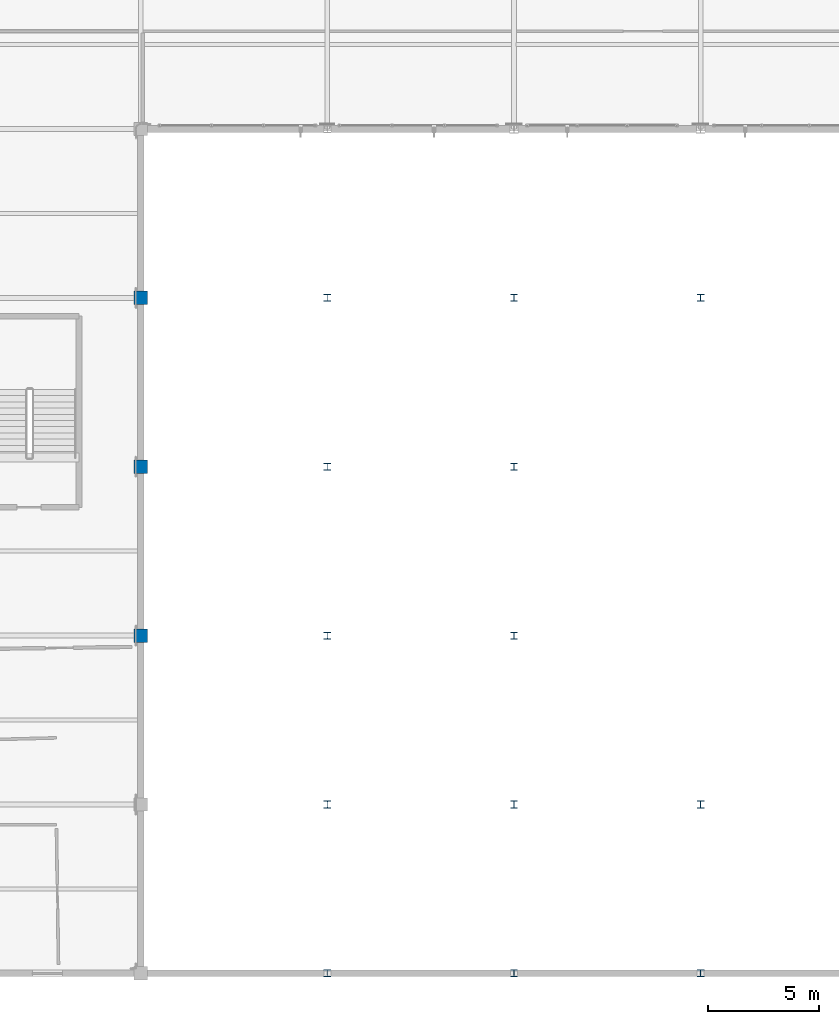
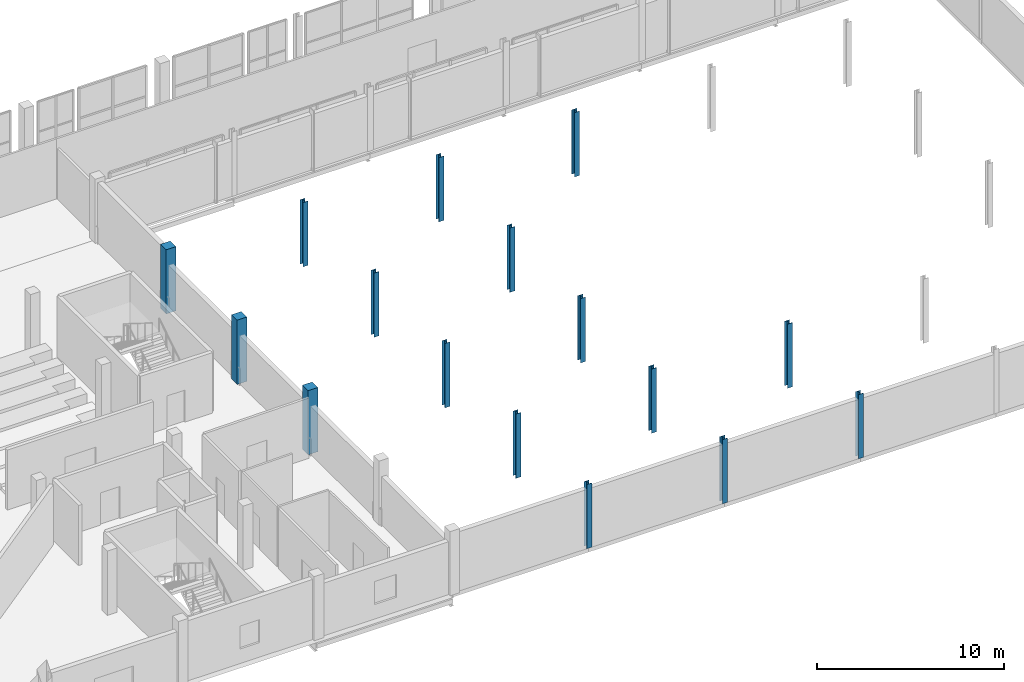
# One storey, part 5 of 217: 16 columns.
"""IFC4 building model written with IfcOpenShell, lengths in metres."""

from ifc_helpers import new_model, si_unit, direction, frame, origin, origin_2d, place, context, subcontext, project, spatial, rectangle, i_section, extrude, material, material_profile, profile_set, type_object, element, save


model = new_model("IFC4")

# Units and contexts
model_context = context("Model", 3, precision=1e-05, world=origin(), true_north=direction((0.0, 1.0)))
body_context = subcontext(model_context, "Body", "Model", "MODEL_VIEW")
ifc_project = project(units=[si_unit("LENGTHUNIT", "METRE"), si_unit("AREAUNIT", "SQUARE_METRE"), si_unit("VOLUMEUNIT", "CUBIC_METRE"), si_unit("PLANEANGLEUNIT", "RADIAN"), si_unit("MASSUNIT", "GRAM", prefix="KILO")], contexts=[model_context])

# Site, building, storey
site_placement = place(None, origin())
site = spatial("IfcSite", under=ifc_project, at=site_placement, CompositionType="ELEMENT")
building_placement = place(site_placement, origin())
building = spatial("IfcBuilding", under=site, at=building_placement, Name="Zuvorla Pavilion Media Centre", CompositionType="ELEMENT")
storey_placement = place(building_placement, frame((0.0, 0.0, 9.60009765625)))
storey = spatial("IfcBuildingStorey", under=building, at=storey_placement, Name="L02", CompositionType="ELEMENT", Elevation=9.60009765625)

# Columns
ifc_material_1 = material(Name="Concrete C40/50", Category="concrete")
ifc_material_profile_1 = material_profile(ifc_material_1, rectangle(XDim=0.60009765625, YDim=0.60009765625, at=origin_2d()), Name="RC 600x600")
ifc_profile_set_1 = profile_set([ifc_material_profile_1], Name="Concrete C40/50")
column_type_1 = type_object("IfcColumnType", Name="COL-RC600", PredefinedType="COLUMN", material=ifc_profile_set_1)
for number, where, z_axis, x_axis, name in (
    (1, (108.800048828125, 21.199951171875, 0.0), (0.0, 0.0, 1.0), (1.0, 0.0, 0.0), "L02 column C03 259"),
    (2, (108.800048828125, 28.800048828125, 0.0), (0.0, 0.0, 1.0), (1.0, 0.0, 0.0), "L02 column C03 354"),
    (3, (108.800048828125, 36.39990234375, 0.0), (0.0, 0.0, 1.0), (1.0, 0.0, 0.0), "L02 column C03 444"),
):
    element("IfcColumn", number, at=place(storey_placement, frame(where, z_axis=z_axis, x_axis=x_axis)), inside=storey, type_object=column_type_1, Name=name, PredefinedType="COLUMN", context=body_context, shape_type="SweptSolid", body=[
        extrude(rectangle(XDim=0.60009765625, YDim=0.60009765625, at=origin_2d()), origin(), (0.0, 0.0, 1.0), 4.199951171875),
    ])
ifc_material_2 = material(Name="Steel S355", Category="steel")
ifc_material_profile_2 = material_profile(ifc_material_2, i_section(OverallWidth=0.30908203125, OverallDepth=0.320556640625, WebThickness=0.013916015625, FlangeThickness=0.021728515625, FilletRadius=0.01513671875, at=origin_2d()), Name="UC 305x305x137")
ifc_profile_set_2 = profile_set([ifc_material_profile_2], Name="Steel S355")
column_type_2 = type_object("IfcColumnType", Name="COL-UC305", PredefinedType="COLUMN", material=ifc_profile_set_2)
for number, where, z_axis, x_axis, name in (
    (4, (117.199951171875, 6.0, 0.0), (0.0, 0.0, 1.0), (1.0, 0.0, 0.0), "L02 column C10 68"),
    (5, (125.60009765625, 6.0, 0.0), (0.0, 0.0, 1.0), (1.0, 0.0, 0.0), "L02 column C10 73"),
    (6, (134.0, 6.0, 0.0), (0.0, 0.0, 1.0), (1.0, 0.0, 0.0), "L02 column C10 78"),
    (7, (117.199951171875, 13.60009765625, 0.0), (0.0, 0.0, 1.0), (1.0, 0.0, 0.0), "L02 column C10 166"),
    (8, (125.60009765625, 13.60009765625, 0.0), (0.0, 0.0, 1.0), (1.0, 0.0, 0.0), "L02 column C10 171"),
    (9, (134.0, 13.60009765625, 0.0), (0.0, 0.0, 1.0), (1.0, 0.0, 0.0), "L02 column C10 176"),
    (10, (117.199951171875, 21.199951171875, 0.0), (0.0, 0.0, 1.0), (1.0, 0.0, 0.0), "L02 column C10 267"),
    (11, (125.60009765625, 21.199951171875, 0.0), (0.0, 0.0, 1.0), (1.0, 0.0, 0.0), "L02 column C10 272"),
    (12, (117.199951171875, 28.800048828125, 0.0), (0.0, 0.0, 1.0), (1.0, 0.0, 0.0), "L02 column C10 362"),
    (13, (125.60009765625, 28.800048828125, 0.0), (0.0, 0.0, 1.0), (1.0, 0.0, 0.0), "L02 column C10 367"),
    (14, (117.199951171875, 36.39990234375, 0.0), (0.0, 0.0, 1.0), (1.0, 0.0, 0.0), "L02 column C10 452"),
    (15, (125.60009765625, 36.39990234375, 0.0), (0.0, 0.0, 1.0), (1.0, 0.0, 0.0), "L02 column C10 457"),
    (16, (134.0, 36.39990234375, 0.0), (0.0, 0.0, 1.0), (1.0, 0.0, 0.0), "L02 column C10 462"),
):
    element("IfcColumn", number, at=place(storey_placement, frame(where, z_axis=z_axis, x_axis=x_axis)), inside=storey, type_object=column_type_2, Name=name, PredefinedType="COLUMN", context=body_context, shape_type="SweptSolid", body=[
        extrude(i_section(OverallWidth=0.30908203125, OverallDepth=0.320556640625, WebThickness=0.013916015625, FlangeThickness=0.021728515625, FilletRadius=0.01513671875, at=origin_2d()), origin(), (0.0, 0.0, 1.0), 4.199951171875),
    ])

save(model, "model.ifc")
